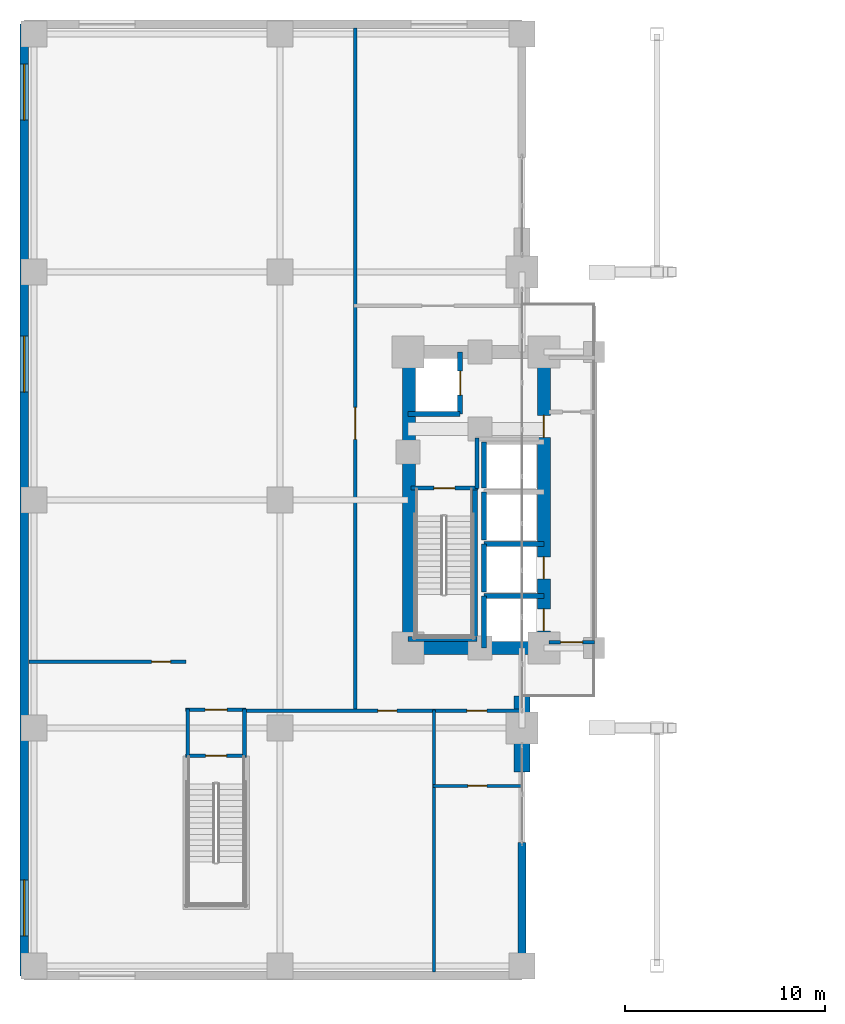
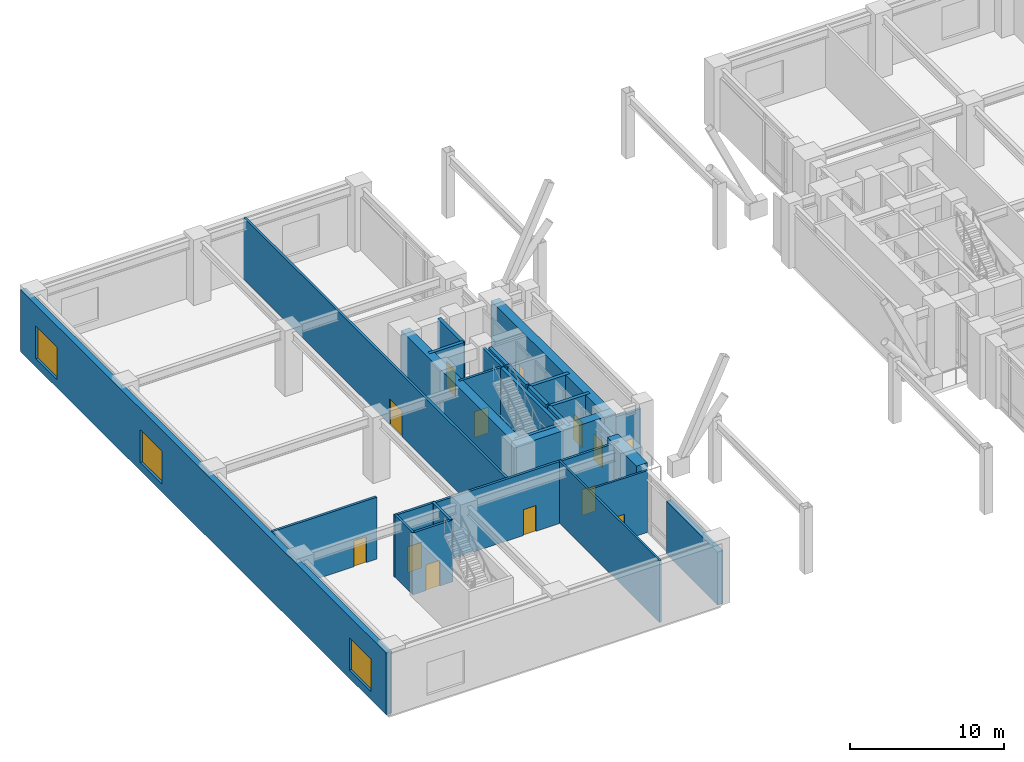
# One storey, part 19 of 26: 28 walls, 13 doors, 3 windows, 16 openings.
"""IFC4 building model written with IfcOpenShell, lengths in metres."""

from ifc_helpers import new_model, si_unit, direction, frame, frame_2d, origin, place, context, subcontext, project, spatial, rectangle, extrude, material, layer, layer_set, type_object, element, fill, save


model = new_model("IFC4")

# Units and contexts
model_context = context("Model", 3, precision=1e-05, world=origin(), true_north=direction((0.0, 1.0)))
body_context = subcontext(model_context, "Body", "Model", "MODEL_VIEW")
ifc_project = project(units=[si_unit("LENGTHUNIT", "METRE"), si_unit("AREAUNIT", "SQUARE_METRE"), si_unit("VOLUMEUNIT", "CUBIC_METRE"), si_unit("PLANEANGLEUNIT", "RADIAN"), si_unit("MASSUNIT", "GRAM", prefix="KILO")], contexts=[model_context])

# Site, building, storey
site_placement = place(None, origin())
site = spatial("IfcSite", under=ifc_project, at=site_placement, CompositionType="ELEMENT")
building_placement = place(site_placement, origin())
building = spatial("IfcBuilding", under=site, at=building_placement, Name="Voryun Gate Residences", CompositionType="ELEMENT")
storey_placement = place(building_placement, frame((0.0, 0.0, 10.39990234375)))
storey = spatial("IfcBuildingStorey", under=building, at=storey_placement, Name="L02", CompositionType="ELEMENT", Elevation=10.39990234375)

# Walls
ifc_material_1 = material(Name="Concrete C60/75", Category="concrete")
ifc_layer_1 = layer(ifc_material_1, 0.64990234375, Name="CW_CORE_650")
ifc_layer_set_1 = layer_set([ifc_layer_1], Name="Concrete C60/75")
wall_type_1 = type_object("IfcWallType", Name="CW_CORE_650", PredefinedType="SHEAR", material=ifc_layer_set_1)
wall_1_placement = place(storey_placement, frame((-19.52490234375, -7.39990234375, 0.0), z_axis=(0.0, 0.0, 1.0), x_axis=(1.0, 0.0, 0.0)))
element("IfcWall", 1, at=wall_1_placement, inside=storey, type_object=wall_type_1, Name="L02 Core shear wall CW-L02-WS", PredefinedType="SHEAR", context=body_context, shape_type="SweptSolid", body=[
    extrude(rectangle(XDim=7.449951171875, YDim=0.64990234375, at=frame_2d((3.72509765625, 0.0))), origin(), (0.0, 0.0, 1.0), 4.920166015625),
])
wall_2_placement = place(storey_placement, frame((-19.14501953125, -7.39990234375, 0.0), z_axis=(0.0, 0.0, 1.0), x_axis=(0.0, 1.0, 0.0)))
element("IfcWall", 2, at=wall_2_placement, inside=storey, type_object=wall_type_1, Name="L02 Core shear wall CW-L02-WW", PredefinedType="SHEAR", context=body_context, shape_type="SweptSolid", body=[
    extrude(rectangle(XDim=14.7998046875, YDim=0.64990234375, at=frame_2d((7.39990234375, 0.0))), origin(), (0.0, 0.0, 1.0), 4.920166015625),
])

# Wall, openings, doors
wall_3_placement = place(storey_placement, frame((-12.39990234375, -7.39990234375, 0.0), z_axis=(0.0, 0.0, 1.0), x_axis=(0.0, 1.0, 0.0)))
wall_3 = element("IfcWall", 3, at=wall_3_placement, inside=storey, type_object=wall_type_1, Name="L02 Core shear wall CW-L02-WE", PredefinedType="SHEAR", context=body_context, shape_type="SweptSolid", body=[
    extrude(rectangle(XDim=14.7998046875, YDim=0.64990234375, at=frame_2d((7.39990234375, 0.0))), origin(), (0.0, 0.0, 1.0), 4.920166015625),
])
opening_1_placement = place(wall_3_placement, frame((0.85009765625, 0.0, 0.0)))
opening_1 = element("IfcOpeningElement", 4, at=opening_1_placement, cuts=wall_3, Name="Opening LD2", PredefinedType="OPENING", context=body_context, shape_type="SweptSolid", body=[
    extrude(rectangle(XDim=1.10009765625, YDim=2.050048828125, at=frame_2d((0.550048828125, 1.02490234375))), frame((0.0, 0.3349609375, 0.0), z_axis=(0.0, -1.0, 0.0), x_axis=(1.0, 0.0, 0.0)), (0.0, 0.0, 1.0), 0.669921875),
])
opening_2_placement = place(wall_3_placement, frame((3.449951171875, 0.0, 0.0)))
opening_2 = element("IfcOpeningElement", 5, at=opening_2_placement, cuts=wall_3, Name="Opening LD2", PredefinedType="OPENING", context=body_context, shape_type="SweptSolid", body=[
    extrude(rectangle(XDim=1.10009765625, YDim=2.050048828125, at=frame_2d((0.550048828125, 1.02490234375))), frame((0.0, 0.3349609375, 0.0), z_axis=(0.0, -1.0, 0.0), x_axis=(1.0, 0.0, 0.0)), (0.0, 0.0, 1.0), 0.669921875),
])
opening_3_placement = place(wall_3_placement, frame((10.530029296875, 0.0, 0.0)))
opening_3 = element("IfcOpeningElement", 6, at=opening_3_placement, cuts=wall_3, Name="Opening D-FD60-2", PredefinedType="OPENING", context=body_context, shape_type="SweptSolid", body=[
    extrude(rectangle(XDim=1.10009765625, YDim=2.050048828125, at=frame_2d((0.550048828125, 1.02490234375))), frame((0.0, 0.3349609375, 0.0), z_axis=(0.0, -1.0, 0.0), x_axis=(1.0, 0.0, 0.0)), (0.0, 0.0, 1.0), 0.669921875),
])
ifc_material_2 = material(Name="Painted steel fire door", Category="steel")
door_type_1 = type_object("IfcDoorType", Name="DR_FD60_FFLOB_1100", OperationType="NOTDEFINED", PredefinedType="DOOR", material=ifc_material_2)
door_1_placement = place(opening_3_placement, origin())
door_1 = element("IfcDoor", 7, at=door_1_placement, inside=storey, type_object=door_type_1, Name="Door DR-L02-CLOB-W", OperationType="SINGLE_SWING_LEFT", OverallHeight=2.050048828125, OverallWidth=1.10009765625, PredefinedType="DOOR", context=body_context, shape_type="SweptSolid", body=[
    extrude(rectangle(XDim=1.10009765625, YDim=2.050048828125, at=frame_2d((0.550048828125, 1.02490234375))), frame((0.0, 0.02490234375, 0.0), z_axis=(0.0, -1.0, 0.0), x_axis=(1.0, 0.0, 0.0)), (0.0, 0.0, 1.0), 0.050048828125),
])
fill(opening_3, door_1)
ifc_material_3 = material(Name="Anodised aluminium", Category="aluminium")
door_type_2 = type_object("IfcDoorType", Name="DR_LD_PASS_1100", OperationType="NOTDEFINED", PredefinedType="DOOR", material=ifc_material_3)
door_2_placement = place(opening_1_placement, origin())
door_2 = element("IfcDoor", 8, at=door_2_placement, inside=storey, type_object=door_type_2, Name="Lift EL-P1 sliding landing door L02", OperationType="SLIDING_TO_LEFT", OverallHeight=2.050048828125, OverallWidth=1.10009765625, PredefinedType="DOOR", context=body_context, shape_type="SweptSolid", body=[
    extrude(rectangle(XDim=1.10009765625, YDim=2.050048828125, at=frame_2d((0.550048828125, 1.02490234375))), frame((0.0, 0.02490234375, 0.0), z_axis=(0.0, -1.0, 0.0), x_axis=(1.0, 0.0, 0.0)), (0.0, 0.0, 1.0), 0.050048828125),
])
fill(opening_1, door_2)
door_3_placement = place(opening_2_placement, origin())
door_3 = element("IfcDoor", 9, at=door_3_placement, inside=storey, type_object=door_type_2, Name="Lift EL-P2 sliding landing door L02", OperationType="SLIDING_TO_LEFT", OverallHeight=2.050048828125, OverallWidth=1.10009765625, PredefinedType="DOOR", context=body_context, shape_type="SweptSolid", body=[
    extrude(rectangle(XDim=1.10009765625, YDim=2.050048828125, at=frame_2d((0.550048828125, 1.02490234375))), frame((0.0, 0.02490234375, 0.0), z_axis=(0.0, -1.0, 0.0), x_axis=(1.0, 0.0, 0.0)), (0.0, 0.0, 1.0), 0.050048828125),
])
fill(opening_2, door_3)

# Wall
ifc_material_4 = material(Name="Concrete C60/75", Category="concrete")
ifc_layer_2 = layer(ifc_material_4, 0.800048828125, Name="W_ARCH_PIER_800")
ifc_layer_set_2 = layer_set([ifc_layer_2], Name="Concrete C60/75")
wall_type_2 = type_object("IfcWallType", Name="W_ARCH_PIER_800", PredefinedType="SOLIDWALL", material=ifc_layer_set_2)
wall_4_placement = place(storey_placement, frame((-13.5, -13.60009765625, 0.0), z_axis=(0.0, 0.0, 1.0), x_axis=(0.0, 1.0, 0.0)))
element("IfcWall", 10, at=wall_4_placement, inside=storey, type_object=wall_type_2, Name="L02 Parabolic arch pier wall WS", PredefinedType="SOLIDWALL", context=body_context, shape_type="SweptSolid", body=[
    extrude(rectangle(XDim=3.800048828125, YDim=0.800048828125, at=frame_2d((1.89990234375, 0.0))), origin(), (0.0, 0.0, 1.0), 4.920166015625),
])

# Wall, opening, door
ifc_material_5 = material(Name="Gypsum acoustic fireboard")
ifc_layer_3 = layer(ifc_material_5, 0.179931640625, Name="W_CORR_RATED_180")
ifc_layer_set_3 = layer_set([ifc_layer_3], Name="Gypsum acoustic fireboard")
wall_type_3 = type_object("IfcWallType", Name="W_CORR_RATED_180", PredefinedType="PARTITIONING", material=ifc_layer_set_3)
wall_5_placement = place(storey_placement, frame((-19.06005859375, 0.60009765625, 0.0), z_axis=(0.0, 0.0, 1.0), x_axis=(1.0, 0.0, 0.0)))
wall_5 = element("IfcWall", 11, at=wall_5_placement, inside=storey, type_object=wall_type_3, Name="Partition wall WP-L02-STV-W", PredefinedType="PARTITIONING", context=body_context, shape_type="SweptSolid", body=[
    extrude(rectangle(XDim=3.360107421875, YDim=0.179931640625, at=frame_2d((1.68017578125, 0.0))), origin(), (0.0, 0.0, 1.0), 4.920166015625),
])
opening_4_placement = place(wall_5_placement, frame((1.155029296875, 0.0, 0.0)))
opening_4 = element("IfcOpeningElement", 12, at=opening_4_placement, cuts=wall_5, Name="Opening D-FD60-1", PredefinedType="OPENING", context=body_context, shape_type="SweptSolid", body=[
    extrude(rectangle(XDim=1.050048828125, YDim=2.050048828125, at=frame_2d((0.52490234375, 1.02490234375))), frame((0.0, 0.099853515625, 0.0), z_axis=(0.0, -1.0, 0.0), x_axis=(1.0, 0.0, 0.0)), (0.0, 0.0, 1.0), 0.199951171875),
])
ifc_material_6 = material(Name="Painted steel fire door", Category="steel")
door_type_3 = type_object("IfcDoorType", Name="DR_FD60_STAIR_1050", OperationType="NOTDEFINED", PredefinedType="DOOR", material=ifc_material_6)
door_4_placement = place(opening_4_placement, origin())
door_4 = element("IfcDoor", 13, at=door_4_placement, inside=storey, type_object=door_type_3, Name="Door DR-L02-ST-W", OperationType="SINGLE_SWING_LEFT", OverallHeight=2.050048828125, OverallWidth=1.050048828125, PredefinedType="DOOR", context=body_context, shape_type="SweptSolid", body=[
    extrude(rectangle(XDim=1.050048828125, YDim=2.050048828125, at=frame_2d((0.52490234375, 1.02490234375))), frame((0.0, 0.02490234375, 0.0), z_axis=(0.0, -1.0, 0.0), x_axis=(1.0, 0.0, 0.0)), (0.0, 0.0, 1.0), 0.050048828125),
])
fill(opening_4, door_4)

wall_6_placement = place(storey_placement, frame((-12.14990234375, -7.1201171875, 0.0), z_axis=(0.0, 0.0, 1.0), x_axis=(1.0, 0.0, 0.0)))
wall_6 = element("IfcWall", 14, at=wall_6_placement, inside=storey, type_object=wall_type_3, Name="Partition wall WP-L02-PLBS-W", PredefinedType="PARTITIONING", context=body_context, shape_type="SweptSolid", body=[
    extrude(rectangle(XDim=2.27001953125, YDim=0.179931640625, at=frame_2d((1.135009765625, 0.0))), origin(), (0.0, 0.0, 1.0), 4.210205078125),
])
opening_5_placement = place(wall_6_placement, frame((0.5849609375, 0.0, 0.0)))
opening_5 = element("IfcOpeningElement", 15, at=opening_5_placement, cuts=wall_6, Name="Opening D-FD60-2", PredefinedType="OPENING", context=body_context, shape_type="SweptSolid", body=[
    extrude(rectangle(XDim=1.10009765625, YDim=2.050048828125, at=frame_2d((0.550048828125, 1.02490234375))), frame((0.0, 0.099853515625, 0.0), z_axis=(0.0, -1.0, 0.0), x_axis=(1.0, 0.0, 0.0)), (0.0, 0.0, 1.0), 0.199951171875),
])
door_5_placement = place(opening_5_placement, origin())
door_5 = element("IfcDoor", 16, at=door_5_placement, inside=storey, type_object=door_type_1, Name="Door DR-L02-PLBNW", OperationType="SINGLE_SWING_LEFT", OverallHeight=2.050048828125, OverallWidth=1.10009765625, PredefinedType="DOOR", context=body_context, shape_type="SweptSolid", body=[
    extrude(rectangle(XDim=1.10009765625, YDim=2.050048828125, at=frame_2d((0.550048828125, 1.02490234375))), frame((0.0, 0.02490234375, 0.0), z_axis=(0.0, -1.0, 0.0), x_axis=(1.0, 0.0, 0.0)), (0.0, 0.0, 1.0), 0.050048828125),
])
fill(opening_5, door_5)

# Walls
for number, where, z_axis, x_axis, name in (
    (17, (-30.219970703125, -12.800048828125, 0.0), (0.0, 0.0, 1.0), (0.0, 1.0, 0.0), "Partition wall WP-L02-ST-P1-VW"),
    (18, (-27.3798828125, -12.800048828125, 0.0), (0.0, 0.0, 1.0), (0.0, 1.0, 0.0), "Partition wall WP-L02-ST-P1-VE"),
):
    element("IfcWall", number, at=place(storey_placement, frame(where, z_axis=z_axis, x_axis=x_axis)), inside=storey, type_object=wall_type_3, Name=name, PredefinedType="PARTITIONING", context=body_context, shape_type="SweptSolid", body=[
        extrude(rectangle(XDim=2.35009765625, YDim=0.179931640625, at=frame_2d((1.175048828125, 0.0))), origin(), (0.0, 0.0, 1.0), 4.920166015625),
    ])

# Wall, opening, door
wall_7_placement = place(storey_placement, frame((-30.320068359375, -12.800048828125, 0.0), z_axis=(0.0, 0.0, 1.0), x_axis=(1.0, 0.0, 0.0)))
wall_7 = element("IfcWall", 19, at=wall_7_placement, inside=storey, type_object=wall_type_3, Name="Partition wall WP-L02-ST-P1-MID", PredefinedType="PARTITIONING", context=body_context, shape_type="SweptSolid", body=[
    extrude(rectangle(XDim=3.0400390625, YDim=0.179931640625, at=frame_2d((1.52001953125, 0.0))), origin(), (0.0, 0.0, 1.0), 4.920166015625),
])
opening_6_placement = place(wall_7_placement, frame((0.9951171875, 0.0, 0.0)))
opening_6 = element("IfcOpeningElement", 20, at=opening_6_placement, cuts=wall_7, Name="Opening D-FD60-1", PredefinedType="OPENING", context=body_context, shape_type="SweptSolid", body=[
    extrude(rectangle(XDim=1.050048828125, YDim=2.050048828125, at=frame_2d((0.52490234375, 1.02490234375))), frame((0.0, 0.099853515625, 0.0), z_axis=(0.0, -1.0, 0.0), x_axis=(1.0, 0.0, 0.0)), (0.0, 0.0, 1.0), 0.199951171875),
])
door_6_placement = place(opening_6_placement, origin())
door_6 = element("IfcDoor", 21, at=door_6_placement, inside=storey, type_object=door_type_3, Name="Door DR-L02-ST-P1-IN", OperationType="SINGLE_SWING_LEFT", OverallHeight=2.050048828125, OverallWidth=1.050048828125, PredefinedType="DOOR", context=body_context, shape_type="SweptSolid", body=[
    extrude(rectangle(XDim=1.050048828125, YDim=2.050048828125, at=frame_2d((0.52490234375, 1.02490234375))), frame((0.0, 0.02490234375, 0.0), z_axis=(0.0, -1.0, 0.0), x_axis=(1.0, 0.0, 0.0)), (0.0, 0.0, 1.0), 0.050048828125),
])
fill(opening_6, door_6)

wall_8_placement = place(storey_placement, frame((-30.320068359375, -10.5, 0.0), z_axis=(0.0, 0.0, 1.0), x_axis=(1.0, 0.0, 0.0)))
wall_8 = element("IfcWall", 22, at=wall_8_placement, inside=storey, type_object=wall_type_3, Name="Partition wall WP-L02-ST-P1-N", PredefinedType="PARTITIONING", context=body_context, shape_type="SweptSolid", body=[
    extrude(rectangle(XDim=3.02001953125, YDim=0.179931640625, at=frame_2d((1.510009765625, 0.0))), origin(), (0.0, 0.0, 1.0), 4.920166015625),
])
opening_7_placement = place(wall_8_placement, frame((0.969970703125, 0.0, 0.0)))
opening_7 = element("IfcOpeningElement", 23, at=opening_7_placement, cuts=wall_8, Name="Opening D-FD60-2", PredefinedType="OPENING", context=body_context, shape_type="SweptSolid", body=[
    extrude(rectangle(XDim=1.10009765625, YDim=2.050048828125, at=frame_2d((0.550048828125, 1.02490234375))), frame((0.0, 0.099853515625, 0.0), z_axis=(0.0, -1.0, 0.0), x_axis=(1.0, 0.0, 0.0)), (0.0, 0.0, 1.0), 0.199951171875),
])
door_7_placement = place(opening_7_placement, origin())
door_7 = element("IfcDoor", 24, at=door_7_placement, inside=storey, type_object=door_type_1, Name="Door DR-L02-ST-P1-OUT", OperationType="SINGLE_SWING_RIGHT", OverallHeight=2.050048828125, OverallWidth=1.10009765625, PredefinedType="DOOR", context=body_context, shape_type="SweptSolid", body=[
    extrude(rectangle(XDim=1.10009765625, YDim=2.050048828125, at=frame_2d((0.550048828125, 1.02490234375))), frame((0.0, 0.02490234375, 0.0), z_axis=(0.0, -1.0, 0.0), x_axis=(1.0, 0.0, 0.0)), (0.0, 0.0, 1.0), 0.050048828125),
])
fill(opening_7, door_7)

wall_9_placement = place(storey_placement, frame((-38.14990234375, -8.10009765625, 0.0), z_axis=(0.0, 0.0, 1.0), x_axis=(1.0, 0.0, 0.0)))
wall_9 = element("IfcWall", 25, at=wall_9_placement, inside=storey, type_object=wall_type_3, Name="Partition wall WP-L02-WCS1", PredefinedType="PARTITIONING", context=body_context, shape_type="SweptSolid", body=[
    extrude(rectangle(XDim=7.849853515625, YDim=0.179931640625, at=frame_2d((3.9248046875, 0.0))), origin(), (0.0, 0.0, 1.0), 4.920166015625),
])
opening_8_placement = place(wall_9_placement, frame((6.118896484375, 0.0, 0.0)))
opening_8 = element("IfcOpeningElement", 26, at=opening_8_placement, cuts=wall_9, Name="Opening D-INT-1", PredefinedType="OPENING", context=body_context, shape_type="SweptSolid", body=[
    extrude(rectangle(XDim=0.949951171875, YDim=2.050048828125, at=frame_2d((0.47509765625, 1.02490234375))), frame((0.0, 0.099853515625, 0.0), z_axis=(0.0, -1.0, 0.0), x_axis=(1.0, 0.0, 0.0)), (0.0, 0.0, 1.0), 0.199951171875),
])
ifc_material_7 = material(Name="Architectural oak veneer")
door_type_4 = type_object("IfcDoorType", Name="DR_INT_ROOM_950", OperationType="NOTDEFINED", PredefinedType="DOOR", material=ifc_material_7)
door_8_placement = place(opening_8_placement, origin())
door_8 = element("IfcDoor", 27, at=door_8_placement, inside=storey, type_object=door_type_4, Name="Door DR-L02-WD2", OperationType="SINGLE_SWING_LEFT", OverallHeight=2.050048828125, OverallWidth=0.949951171875, PredefinedType="DOOR", context=body_context, shape_type="SweptSolid", body=[
    extrude(rectangle(XDim=0.949951171875, YDim=2.050048828125, at=frame_2d((0.47509765625, 1.02490234375))), frame((0.0, 0.02490234375, 0.0), z_axis=(0.0, -1.0, 0.0), x_axis=(1.0, 0.0, 0.0)), (0.0, 0.0, 1.0), 0.050048828125),
])
fill(opening_8, door_8)

wall_10_placement = place(storey_placement, frame((-21.85009765625, -10.5, 0.0), z_axis=(0.0, 0.0, 1.0), x_axis=(0.0, 1.0, 0.0)))
wall_10 = element("IfcWall", 28, at=wall_10_placement, inside=storey, type_object=wall_type_3, Name="Partition wall WP-L02-WCW1", PredefinedType="PARTITIONING", context=body_context, shape_type="SweptSolid", body=[
    extrude(rectangle(XDim=34.1201171875, YDim=0.179931640625, at=frame_2d((17.06005859375, 0.0))), origin(), (0.0, 0.0, 1.0), 4.920166015625),
])
opening_9_placement = place(wall_10_placement, frame((13.530517578125, 0.0, 0.0)))
opening_9 = element("IfcOpeningElement", 29, at=opening_9_placement, cuts=wall_10, Name="Opening D-FD30-1", PredefinedType="OPENING", context=body_context, shape_type="SweptSolid", body=[
    extrude(rectangle(XDim=1.60009765625, YDim=2.050048828125, at=frame_2d((0.800048828125, 1.02490234375))), frame((0.0, 0.099853515625, 0.0), z_axis=(0.0, -1.0, 0.0), x_axis=(1.0, 0.0, 0.0)), (0.0, 0.0, 1.0), 0.199951171875),
])
ifc_material_8 = material(Name="Glazed aluminium fire door", Category="aluminium")
door_type_5 = type_object("IfcDoorType", Name="DR_CORR_SMOKE_1600", OperationType="NOTDEFINED", PredefinedType="DOOR", material=ifc_material_8)
door_9_placement = place(opening_9_placement, origin())
door_9 = element("IfcDoor", 30, at=door_9_placement, inside=storey, type_object=door_type_5, Name="Door DR-L02-WD1", OperationType="DOUBLE_DOOR_SINGLE_SWING", OverallHeight=2.050048828125, OverallWidth=1.60009765625, PredefinedType="DOOR", context=body_context, shape_type="SweptSolid", body=[
    extrude(rectangle(XDim=1.60009765625, YDim=2.050048828125, at=frame_2d((0.800048828125, 1.02490234375))), frame((0.0, 0.02490234375, 0.0), z_axis=(0.0, -1.0, 0.0), x_axis=(1.0, 0.0, 0.0)), (0.0, 0.0, 1.0), 0.050048828125),
])
fill(opening_9, door_9)

# Wall, openings, doors
wall_11_placement = place(storey_placement, frame((-27.47998046875, -10.550048828125, 0.0), z_axis=(0.0, 0.0, 1.0), x_axis=(1.0, 0.0, 0.0)))
wall_11 = element("IfcWall", 31, at=wall_11_placement, inside=storey, type_object=wall_type_3, Name="Partition wall WP-L02-WCS2", PredefinedType="PARTITIONING", context=body_context, shape_type="SweptSolid", body=[
    extrude(rectangle(XDim=13.9599609375, YDim=0.179931640625, at=frame_2d((6.97998046875, 0.0))), origin(), (0.0, 0.0, 1.0), 4.920166015625),
])
opening_10_placement = place(wall_11_placement, frame((6.774658203125, 0.0, 0.0)))
opening_10 = element("IfcOpeningElement", 32, at=opening_10_placement, cuts=wall_11, Name="Opening D-INT-1", PredefinedType="OPENING", context=body_context, shape_type="SweptSolid", body=[
    extrude(rectangle(XDim=0.949951171875, YDim=2.050048828125, at=frame_2d((0.47509765625, 1.02490234375))), frame((0.0, 0.099853515625, 0.0), z_axis=(0.0, -1.0, 0.0), x_axis=(1.0, 0.0, 0.0)), (0.0, 0.0, 1.0), 0.199951171875),
])
opening_11_placement = place(wall_11_placement, frame((11.22314453125, 0.0, 0.0)))
opening_11 = element("IfcOpeningElement", 33, at=opening_11_placement, cuts=wall_11, Name="Opening D-AWC-1", PredefinedType="OPENING", context=body_context, shape_type="SweptSolid", body=[
    extrude(rectangle(XDim=1.0, YDim=2.050048828125, at=frame_2d((0.5, 1.02490234375))), frame((0.0, 0.099853515625, 0.0), z_axis=(0.0, -1.0, 0.0), x_axis=(1.0, 0.0, 0.0)), (0.0, 0.0, 1.0), 0.199951171875),
])
ifc_material_9 = material(Name="Architectural oak veneer")
door_type_6 = type_object("IfcDoorType", Name="DR_ACC_WC_1000", OperationType="NOTDEFINED", PredefinedType="DOOR", material=ifc_material_9)
door_10_placement = place(opening_11_placement, origin())
door_10 = element("IfcDoor", 34, at=door_10_placement, inside=storey, type_object=door_type_6, Name="Door DR-L02-WDWC", OperationType="SINGLE_SWING_RIGHT", OverallHeight=2.050048828125, OverallWidth=1.0, PredefinedType="DOOR", context=body_context, shape_type="SweptSolid", body=[
    extrude(rectangle(XDim=1.0, YDim=2.050048828125, at=frame_2d((0.5, 1.02490234375))), frame((0.0, 0.02490234375, 0.0), z_axis=(0.0, -1.0, 0.0), x_axis=(1.0, 0.0, 0.0)), (0.0, 0.0, 1.0), 0.050048828125),
])
fill(opening_11, door_10)
door_11_placement = place(opening_10_placement, origin())
door_11 = element("IfcDoor", 35, at=door_11_placement, inside=storey, type_object=door_type_4, Name="Door DR-L02-WD2B", OperationType="SINGLE_SWING_LEFT", OverallHeight=2.050048828125, OverallWidth=0.949951171875, PredefinedType="DOOR", context=body_context, shape_type="SweptSolid", body=[
    extrude(rectangle(XDim=0.949951171875, YDim=2.050048828125, at=frame_2d((0.47509765625, 1.02490234375))), frame((0.0, 0.02490234375, 0.0), z_axis=(0.0, -1.0, 0.0), x_axis=(1.0, 0.0, 0.0)), (0.0, 0.0, 1.0), 0.050048828125),
])
fill(opening_10, door_11)

# Wall
ifc_material_10 = material(Name="Granite masonry", Category="masonry")
ifc_layer_4 = layer(ifc_material_10, 0.419921875, Name="W_EXT_PODIUM_420")
ifc_layer_set_4 = layer_set([ifc_layer_4], Name="Granite masonry")
wall_type_4 = type_object("IfcWallType", Name="W_EXT_PODIUM_420", PredefinedType="ELEMENTEDWALL", material=ifc_layer_set_4)
wall_12_placement = place(storey_placement, frame((-13.5, -23.800048828125, 0.0), z_axis=(0.0, 0.0, 1.0), x_axis=(0.0, 1.0, 0.0)))
element("IfcWall", 36, at=wall_12_placement, inside=storey, type_object=wall_type_4, Name="Exterior wall WEP-L02-WP-2A", PredefinedType="ELEMENTEDWALL", context=body_context, shape_type="SweptSolid", body=[
    extrude(rectangle(XDim=6.679931640625, YDim=0.419921875, at=frame_2d((3.33984375, 0.0))), origin(), (0.0, 0.0, 1.0), 4.210205078125),
])

# Wall, openings, windows
wall_13_placement = place(storey_placement, frame((-38.39990234375, 23.800048828125, 0.0), z_axis=(0.0, 0.0, 1.0), x_axis=(0.0, -1.0, 0.0)))
wall_13 = element("IfcWall", 37, at=wall_13_placement, inside=storey, type_object=wall_type_4, Name="Exterior wall WEP-L02-WP-4", PredefinedType="ELEMENTEDWALL", context=body_context, shape_type="SweptSolid", body=[
    extrude(rectangle(XDim=47.60009765625, YDim=0.419921875, at=frame_2d((23.800048828125, 0.0))), origin(), (0.0, 0.0, 1.0), 4.920166015625),
])
opening_12_placement = place(wall_13_placement, frame((2.0, 0.0, 0.64990234375)))
opening_12 = element("IfcOpeningElement", 38, at=opening_12_placement, cuts=wall_13, Name="Opening WN5", PredefinedType="OPENING", context=body_context, shape_type="SweptSolid", body=[
    extrude(rectangle(XDim=2.800048828125, YDim=2.60009765625, at=frame_2d((1.39990234375, 1.300048828125))), frame((0.0, 0.219970703125, 0.0), z_axis=(0.0, -1.0, 0.0), x_axis=(1.0, 0.0, 0.0)), (0.0, 0.0, 1.0), 0.43994140625),
])
opening_13_placement = place(wall_13_placement, frame((15.60009765625, 0.0, 0.64990234375)))
opening_13 = element("IfcOpeningElement", 39, at=opening_13_placement, cuts=wall_13, Name="Opening WN5", PredefinedType="OPENING", context=body_context, shape_type="SweptSolid", body=[
    extrude(rectangle(XDim=2.800048828125, YDim=2.60009765625, at=frame_2d((1.39990234375, 1.300048828125))), frame((0.0, 0.219970703125, 0.0), z_axis=(0.0, -1.0, 0.0), x_axis=(1.0, 0.0, 0.0)), (0.0, 0.0, 1.0), 0.43994140625),
])
opening_14_placement = place(wall_13_placement, frame((42.800048828125, 0.0, 0.64990234375)))
opening_14 = element("IfcOpeningElement", 40, at=opening_14_placement, cuts=wall_13, Name="Opening WN5", PredefinedType="OPENING", context=body_context, shape_type="SweptSolid", body=[
    extrude(rectangle(XDim=2.800048828125, YDim=2.60009765625, at=frame_2d((1.39990234375, 1.300048828125))), frame((0.0, 0.219970703125, 0.0), z_axis=(0.0, -1.0, 0.0), x_axis=(1.0, 0.0, 0.0)), (0.0, 0.0, 1.0), 0.43994140625),
])
ifc_material_11 = material(Name="Laminated low-E glass", Category="glass")
window_type = type_object("IfcWindowType", Name="WN_POD_GALLERY_2800", PartitioningType="SINGLE_PANEL", PredefinedType="WINDOW", material=ifc_material_11)
window_1_placement = place(opening_12_placement, origin())
window_1 = element("IfcWindow", 41, at=window_1_placement, inside=storey, type_object=window_type, Name="Window WN-L02-WP-4-01", OverallHeight=2.60009765625, OverallWidth=2.800048828125, PartitioningType="SINGLE_PANEL", PredefinedType="WINDOW", context=body_context, shape_type="SweptSolid", body=[
    extrude(rectangle(XDim=2.800048828125, YDim=2.60009765625, at=frame_2d((1.39990234375, 1.300048828125))), frame((0.0, 0.030029296875, 0.0), z_axis=(0.0, -1.0, 0.0), x_axis=(1.0, 0.0, 0.0)), (0.0, 0.0, 1.0), 0.06005859375),
])
fill(opening_12, window_1)
window_2_placement = place(opening_13_placement, origin())
window_2 = element("IfcWindow", 42, at=window_2_placement, inside=storey, type_object=window_type, Name="Window WN-L02-WP-4-03", OverallHeight=2.60009765625, OverallWidth=2.800048828125, PartitioningType="SINGLE_PANEL", PredefinedType="WINDOW", context=body_context, shape_type="SweptSolid", body=[
    extrude(rectangle(XDim=2.800048828125, YDim=2.60009765625, at=frame_2d((1.39990234375, 1.300048828125))), frame((0.0, 0.030029296875, 0.0), z_axis=(0.0, -1.0, 0.0), x_axis=(1.0, 0.0, 0.0)), (0.0, 0.0, 1.0), 0.06005859375),
])
fill(opening_13, window_2)
window_3_placement = place(opening_14_placement, origin())
window_3 = element("IfcWindow", 43, at=window_3_placement, inside=storey, type_object=window_type, Name="Window WN-L02-WP-4-07", OverallHeight=2.60009765625, OverallWidth=2.800048828125, PartitioningType="SINGLE_PANEL", PredefinedType="WINDOW", context=body_context, shape_type="SweptSolid", body=[
    extrude(rectangle(XDim=2.800048828125, YDim=2.60009765625, at=frame_2d((1.39990234375, 1.300048828125))), frame((0.0, 0.030029296875, 0.0), z_axis=(0.0, -1.0, 0.0), x_axis=(1.0, 0.0, 0.0)), (0.0, 0.0, 1.0), 0.06005859375),
])
fill(opening_14, window_3)

# Walls
ifc_material_12 = material(Name="Concrete C40/50", Category="concrete")
ifc_layer_5 = layer(ifc_material_12, 0.199951171875, Name="W_FF_LOBBY_200")
ifc_layer_set_5 = layer_set([ifc_layer_5], Name="Concrete C40/50")
wall_type_5 = type_object("IfcWallType", Name="W_FF_LOBBY_200", PredefinedType="PARTITIONING", material=ifc_layer_set_5)
wall_14_placement = place(storey_placement, frame((-15.760009765625, 0.580078125, 0.0), z_axis=(0.0, 0.0, 1.0), x_axis=(0.0, 1.0, 0.0)))
element("IfcWall", 44, at=wall_14_placement, inside=storey, type_object=wall_type_5, Name="Partition wall WP-L02-FFP0-W", PredefinedType="PARTITIONING", context=body_context, shape_type="SweptSolid", body=[
    extrude(rectangle(XDim=2.52001953125, YDim=0.199951171875, at=frame_2d((1.260009765625, 0.0))), origin(), (0.0, 0.0, 1.0), 4.920166015625),
])
ifc_material_13 = material(Name="Concrete C50/60", Category="concrete")
ifc_layer_6 = layer(ifc_material_13, 0.25, Name="W_SHAFT_RC250")
ifc_layer_set_6 = layer_set([ifc_layer_6], Name="Concrete C50/60")
wall_type_6 = type_object("IfcWallType", Name="W_SHAFT_RC250", PredefinedType="SOLIDWALL", material=ifc_layer_set_6)
wall_15_placement = place(storey_placement, frame((-15.860107421875, -7.0849609375, 0.0), z_axis=(0.0, 0.0, 1.0), x_axis=(0.0, 1.0, 0.0)))
element("IfcWall", 45, at=wall_15_placement, inside=storey, type_object=wall_type_6, Name="L02 Stair shaft structural wall W-STR", PredefinedType="SOLIDWALL", context=body_context, shape_type="SweptSolid", body=[
    extrude(rectangle(XDim=7.68505859375, YDim=0.25, at=frame_2d((3.842529296875, 0.0))), origin(), (0.0, 0.0, 1.0), 4.920166015625),
])
wall_16_placement = place(storey_placement, frame((-19.199951171875, -6.965087890625, 0.0), z_axis=(0.0, 0.0, 1.0), x_axis=(1.0, 0.0, 0.0)))
element("IfcWall", 46, at=wall_16_placement, inside=storey, type_object=wall_type_6, Name="L02 Stair shaft structural wall W-STS", PredefinedType="SOLIDWALL", context=body_context, shape_type="SweptSolid", body=[
    extrude(rectangle(XDim=3.4599609375, YDim=0.25, at=frame_2d((1.72998046875, 0.0))), origin(), (0.0, 0.0, 1.0), 4.920166015625),
])
wall_17_placement = place(storey_placement, frame((-19.199951171875, 4.300048828125, 0.0), z_axis=(0.0, 0.0, 1.0), x_axis=(1.0, 0.0, 0.0)))
element("IfcWall", 47, at=wall_17_placement, inside=storey, type_object=wall_type_6, Name="Lift shaft wall WSH-L02-EL-FF-W1-S", PredefinedType="SOLIDWALL", context=body_context, shape_type="SweptSolid", body=[
    extrude(rectangle(XDim=2.599853515625, YDim=0.25, at=frame_2d((1.2998046875, 0.0))), origin(), (0.0, 0.0, 1.0), 4.920166015625),
])

# Wall, opening, door
wall_18_placement = place(storey_placement, frame((-16.60009765625, 4.300048828125, 0.0), z_axis=(0.0, 0.0, 1.0), x_axis=(0.0, 1.0, 0.0)))
wall_18 = element("IfcWall", 48, at=wall_18_placement, inside=storey, type_object=wall_type_6, Name="Lift shaft wall WSH-L02-EL-FF-W1-E", PredefinedType="SOLIDWALL", context=body_context, shape_type="SweptSolid", body=[
    extrude(rectangle(XDim=3.099853515625, YDim=0.25, at=frame_2d((1.5498046875, 0.0))), origin(), (0.0, 0.0, 1.0), 4.920166015625),
])
opening_15_placement = place(wall_18_placement, frame((0.949951171875, 0.0, 0.0)))
opening_15 = element("IfcOpeningElement", 49, at=opening_15_placement, cuts=wall_18, Name="Opening LD1", PredefinedType="OPENING", context=body_context, shape_type="SweptSolid", body=[
    extrude(rectangle(XDim=1.199951171875, YDim=2.050048828125, at=frame_2d((0.60009765625, 1.02490234375))), frame((0.0, 0.135009765625, 0.0), z_axis=(0.0, -1.0, 0.0), x_axis=(1.0, 0.0, 0.0)), (0.0, 0.0, 1.0), 0.27001953125),
])
ifc_material_14 = material(Name="Anodised aluminium", Category="aluminium")
door_type_7 = type_object("IfcDoorType", Name="DR_LD_FF_1200", OperationType="NOTDEFINED", PredefinedType="DOOR", material=ifc_material_14)
door_12_placement = place(opening_15_placement, origin())
door_12 = element("IfcDoor", 50, at=door_12_placement, inside=storey, type_object=door_type_7, Name="Lift EL-FF-W1 sliding landing door L02", OperationType="SLIDING_TO_LEFT", OverallHeight=2.050048828125, OverallWidth=1.199951171875, PredefinedType="DOOR", context=body_context, shape_type="SweptSolid", body=[
    extrude(rectangle(XDim=1.199951171875, YDim=2.050048828125, at=frame_2d((0.60009765625, 1.02490234375))), frame((0.0, 0.02490234375, 0.0), z_axis=(0.0, -1.0, 0.0), x_axis=(1.0, 0.0, 0.0)), (0.0, 0.0, 1.0), 0.050048828125),
])
fill(opening_15, door_12)

# Walls
wall_19_placement = place(storey_placement, frame((-12.39990234375, -4.800048828125, 0.0), z_axis=(0.0, 0.0, 1.0), x_axis=(-1.0, 0.0, 0.0)))
element("IfcWall", 51, at=wall_19_placement, inside=storey, type_object=wall_type_6, Name="Lift shaft wall WSH-L02-EL-P1-N", PredefinedType="SOLIDWALL", context=body_context, shape_type="SweptSolid", body=[
    extrude(rectangle(XDim=3.0, YDim=0.25, at=frame_2d((1.5, 0.0))), origin(), (0.0, 0.0, 1.0), 4.920166015625),
])
wall_20_placement = place(storey_placement, frame((-15.39990234375, -4.800048828125, 0.0), z_axis=(0.0, 0.0, 1.0), x_axis=(0.0, -1.0, 0.0)))
element("IfcWall", 52, at=wall_20_placement, inside=storey, type_object=wall_type_6, Name="Lift shaft wall WSH-L02-EL-P1-W", PredefinedType="SOLIDWALL", context=body_context, shape_type="SweptSolid", body=[
    extrude(rectangle(XDim=2.599853515625, YDim=0.25, at=frame_2d((1.2998046875, 0.0))), origin(), (0.0, 0.0, 1.0), 4.920166015625),
])
wall_21_placement = place(storey_placement, frame((-12.39990234375, -2.199951171875, 0.0), z_axis=(0.0, 0.0, 1.0), x_axis=(-1.0, 0.0, 0.0)))
element("IfcWall", 53, at=wall_21_placement, inside=storey, type_object=wall_type_6, Name="Lift shaft wall WSH-L02-EL-P2-N", PredefinedType="SOLIDWALL", context=body_context, shape_type="SweptSolid", body=[
    extrude(rectangle(XDim=3.0, YDim=0.25, at=frame_2d((1.5, 0.0))), origin(), (0.0, 0.0, 1.0), 4.920166015625),
])
wall_22_placement = place(storey_placement, frame((-15.39990234375, -2.199951171875, 0.0), z_axis=(0.0, 0.0, 1.0), x_axis=(0.0, -1.0, 0.0)))
element("IfcWall", 54, at=wall_22_placement, inside=storey, type_object=wall_type_6, Name="Lift shaft wall WSH-L02-EL-P2-W", PredefinedType="SOLIDWALL", context=body_context, shape_type="SweptSolid", body=[
    extrude(rectangle(XDim=2.400146484375, YDim=0.25, at=frame_2d((1.2001953125, 0.0))), origin(), (0.0, 0.0, 1.0), 4.920166015625),
])
wall_23_placement = place(storey_placement, frame((-15.39990234375, 0.39990234375, 0.0), z_axis=(0.0, 0.0, 1.0), x_axis=(0.0, -1.0, 0.0)))
element("IfcWall", 55, at=wall_23_placement, inside=storey, type_object=wall_type_6, Name="Lift shaft wall WSH-L02-EL-P4-W", PredefinedType="SOLIDWALL", context=body_context, shape_type="SweptSolid", body=[
    extrude(rectangle(XDim=2.39990234375, YDim=0.25, at=frame_2d((1.199951171875, 0.0))), origin(), (0.0, 0.0, 1.0), 4.920166015625),
])
wall_24_placement = place(storey_placement, frame((-15.39990234375, 2.89990234375, 0.0), z_axis=(0.0, 0.0, 1.0), x_axis=(0.0, -1.0, 0.0)))
element("IfcWall", 56, at=wall_24_placement, inside=storey, type_object=wall_type_6, Name="Lift shaft wall WSH-L02-EL-P7-W", PredefinedType="SOLIDWALL", context=body_context, shape_type="SweptSolid", body=[
    extrude(rectangle(XDim=2.2998046875, YDim=0.25, at=frame_2d((1.14990234375, 0.0))), origin(), (0.0, 0.0, 1.0), 4.920166015625),
])
ifc_material_15 = material(Name="Gypsum moisture-resistant partition")
ifc_layer_7 = layer(ifc_material_15, 0.14990234375, Name="W_WET_PLUMB_150")
ifc_layer_set_7 = layer_set([ifc_layer_7], Name="Gypsum moisture-resistant partition")
wall_type_7 = type_object("IfcWallType", Name="W_WET_PLUMB_150", PredefinedType="PLUMBINGWALL", material=ifc_layer_set_7)
wall_25_placement = place(storey_placement, frame((-17.89990234375, -23.6201171875, 0.0), z_axis=(0.0, 0.0, 1.0), x_axis=(0.0, 1.0, 0.0)))
element("IfcWall", 57, at=wall_25_placement, inside=storey, type_object=wall_type_7, Name="Partition wall WP-L02-WWCD1", PredefinedType="PLUMBINGWALL", context=body_context, shape_type="SweptSolid", body=[
    extrude(rectangle(XDim=13.1201171875, YDim=0.14990234375, at=frame_2d((6.56005859375, 0.0))), origin(), (0.0, 0.0, 1.0), 4.920166015625),
])

# Wall, opening, door
wall_26_placement = place(storey_placement, frame((-17.949951171875, -14.300048828125, 0.0), z_axis=(0.0, 0.0, 1.0), x_axis=(1.0, 0.0, 0.0)))
wall_26 = element("IfcWall", 58, at=wall_26_placement, inside=storey, type_object=wall_type_7, Name="Partition wall WP-L02-WWCD2", PredefinedType="PLUMBINGWALL", context=body_context, shape_type="SweptSolid", body=[
    extrude(rectangle(XDim=4.429931640625, YDim=0.14990234375, at=frame_2d((2.21484375, 0.0))), origin(), (0.0, 0.0, 1.0), 4.920166015625),
])
opening_16_placement = place(wall_26_placement, frame((1.739990234375, 0.0, 0.0)))
opening_16 = element("IfcOpeningElement", 59, at=opening_16_placement, cuts=wall_26, Name="Opening D-INT-1", PredefinedType="OPENING", context=body_context, shape_type="SweptSolid", body=[
    extrude(rectangle(XDim=0.949951171875, YDim=2.050048828125, at=frame_2d((0.47509765625, 1.02490234375))), frame((0.0, 0.0849609375, 0.0), z_axis=(0.0, -1.0, 0.0), x_axis=(1.0, 0.0, 0.0)), (0.0, 0.0, 1.0), 0.169921875),
])
door_13_placement = place(opening_16_placement, origin())
door_13 = element("IfcDoor", 60, at=door_13_placement, inside=storey, type_object=door_type_4, Name="Door DR-L02-WSTR", OperationType="SINGLE_SWING_LEFT", OverallHeight=2.050048828125, OverallWidth=0.949951171875, PredefinedType="DOOR", context=body_context, shape_type="SweptSolid", body=[
    extrude(rectangle(XDim=0.949951171875, YDim=2.050048828125, at=frame_2d((0.47509765625, 1.02490234375))), frame((0.0, 0.02490234375, 0.0), z_axis=(0.0, -1.0, 0.0), x_axis=(1.0, 0.0, 0.0)), (0.0, 0.0, 1.0), 0.050048828125),
])
fill(opening_16, door_13)

save(model, "model.ifc")
